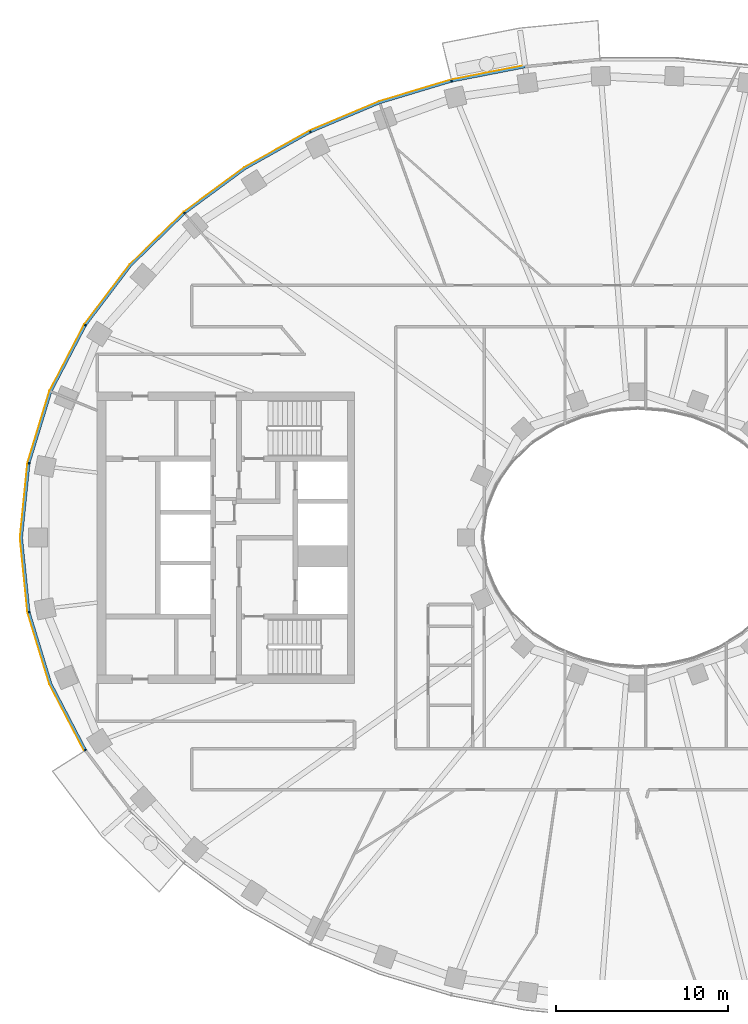
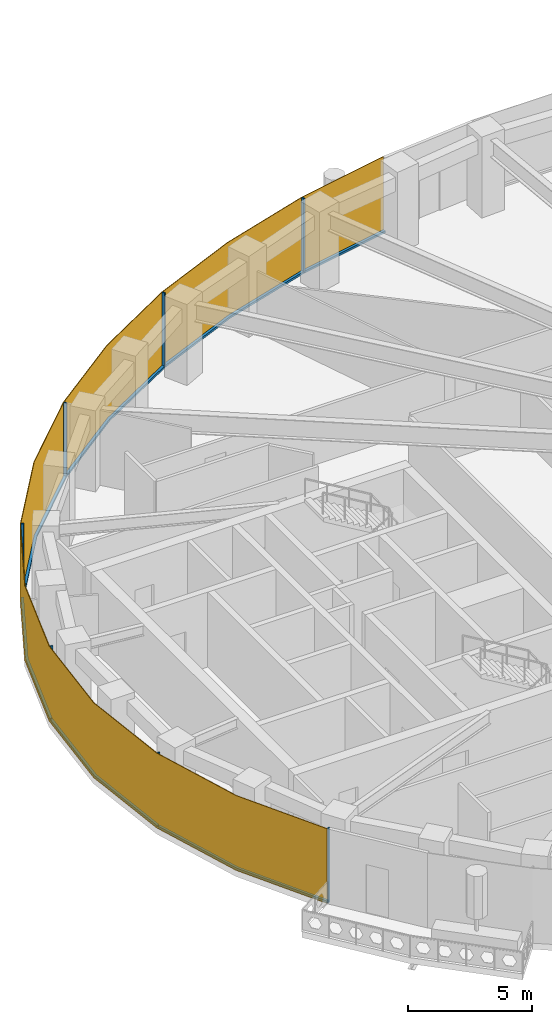
# One storey, part 11 of 16: 14 members, 1 curtain wall.
"""IFC4 building model written with IfcOpenShell, lengths in metres."""

from ifc_helpers import new_model, si_unit, direction, frame, origin, origin_2d, place, context, subcontext, project, spatial, polyline, rectangle, outline, extrude, material, layer, layer_set, material_profile, profile_set, type_object, element, aggregate, save


model = new_model("IFC4")

# Units and contexts
model_context = context("Model", 3, precision=1e-05, world=origin(), true_north=direction((0.0, 1.0)))
body_context = subcontext(model_context, "Body", "Model", "MODEL_VIEW")
ifc_project = project(units=[si_unit("LENGTHUNIT", "METRE"), si_unit("AREAUNIT", "SQUARE_METRE"), si_unit("VOLUMEUNIT", "CUBIC_METRE"), si_unit("PLANEANGLEUNIT", "RADIAN"), si_unit("MASSUNIT", "GRAM", prefix="KILO")], contexts=[model_context])

# Member
ifc_material_1 = material(Name="Aluminium 6063-T6 black anodised", Category="aluminium")
ifc_material_profile = material_profile(ifc_material_1, rectangle(XDim=0.1201171875, YDim=0.06005859375, at=origin_2d()), Name="120x60")
ifc_profile_set = profile_set([ifc_material_profile], Name="Aluminium 6063-T6 black anodised")
member_type_1 = type_object("IfcMemberType", Name="ENV-MULLION-A-120", PredefinedType="MULLION", material=ifc_profile_set)
site_placement = place(None, origin())
building_placement = place(site_placement, origin())
storey_placement = place(building_placement, frame((0.0, 0.0, 245.5)))
member_1_placement = place(storey_placement, frame((-10.84326171875, 26.60498046875, 0.0), z_axis=(0.0, 0.0, 1.0), x_axis=(0.239799081534, -0.970822538106, 0.0)))
member_1 = element("IfcMember", 1, at=member_1_placement, type_object=member_type_1, Name="Mullion A radial 15", PredefinedType="MULLION", context=body_context, shape_type="SweptSolid", body=[
    extrude(rectangle(XDim=0.1201171875, YDim=0.06005859375, at=origin_2d()), origin(), (0.0, 0.0, 1.0), 3.699951171875),
])

member_2_placement = place(storey_placement, frame((-19.06787109375, 23.6474609375, 0.0), z_axis=(0.0, 0.0, 1.0), x_axis=(0.439237769837, -0.898370848563, 0.0)))
member_2 = element("IfcMember", 2, at=member_2_placement, type_object=member_type_1, Name="Mullion A radial 17", PredefinedType="MULLION", context=body_context, shape_type="SweptSolid", body=[
    extrude(rectangle(XDim=0.1201171875, YDim=0.06005859375, at=origin_2d()), origin(), (0.0, 0.0, 1.0), 3.699951171875),
])

member_3_placement = place(storey_placement, frame((-26.403564453125, 18.9130859375, 0.0), z_axis=(0.0, 0.0, 1.0), x_axis=(0.646451313783, -0.762955240435, 0.0)))
member_3 = element("IfcMember", 3, at=member_3_placement, type_object=member_type_1, Name="Mullion A radial 19", PredefinedType="MULLION", context=body_context, shape_type="SweptSolid", body=[
    extrude(rectangle(XDim=0.1201171875, YDim=0.06005859375, at=origin_2d()), origin(), (0.0, 0.0, 1.0), 3.699951171875),
])

member_4_placement = place(storey_placement, frame((-32.177490234375, 12.385498046875, 0.0), z_axis=(0.0, 0.0, 1.0), x_axis=(0.844829880882, -0.53503501976, 0.0)))
member_4 = element("IfcMember", 4, at=member_4_placement, type_object=member_type_1, Name="Mullion A radial 21", PredefinedType="MULLION", context=body_context, shape_type="SweptSolid", body=[
    extrude(rectangle(XDim=0.1201171875, YDim=0.06005859375, at=origin_2d()), origin(), (0.0, 0.0, 1.0), 3.699951171875),
])

member_5_placement = place(storey_placement, frame((-35.470947265625, 4.340576171875, 0.0), z_axis=(0.0, 0.0, 1.0), x_axis=(0.980379083141, -0.19712141776, 0.0)))
member_5 = element("IfcMember", 5, at=member_5_placement, type_object=member_type_1, Name="Mullion A radial 23", PredefinedType="MULLION", context=body_context, shape_type="SweptSolid", body=[
    extrude(rectangle(XDim=0.1201171875, YDim=0.06005859375, at=origin_2d()), origin(), (0.0, 0.0, 1.0), 3.699951171875),
])

member_6_placement = place(storey_placement, frame((-35.470947265625, -4.340576171875, 0.0), z_axis=(0.0, 0.0, 1.0), x_axis=(0.980379083141, 0.19712141776, 0.0)))
member_6 = element("IfcMember", 6, at=member_6_placement, type_object=member_type_1, Name="Mullion A radial 25", PredefinedType="MULLION", context=body_context, shape_type="SweptSolid", body=[
    extrude(rectangle(XDim=0.1201171875, YDim=0.06005859375, at=origin_2d()), origin(), (0.0, 0.0, 1.0), 3.699951171875),
])

member_7_placement = place(storey_placement, frame((-32.177490234375, -12.385498046875, 0.0), z_axis=(0.0, 0.0, 1.0), x_axis=(0.844829880882, 0.53503501976, 0.0)))
member_7 = element("IfcMember", 7, at=member_7_placement, type_object=member_type_1, Name="Mullion A radial 27", PredefinedType="MULLION", context=body_context, shape_type="SweptSolid", body=[
    extrude(rectangle(XDim=0.1201171875, YDim=0.06005859375, at=origin_2d()), origin(), (0.0, 0.0, 1.0), 3.699951171875),
])

ifc_material_2 = material(Name="Aluminium 6063-T6 black anodised", Category="aluminium")
member_type_2 = type_object("IfcMemberType", Name="ENV-TRANSOM-A", PredefinedType="USERDEFINED", material=ifc_material_2)
member_8_placement = place(storey_placement, origin())
member_8 = element("IfcMember", 8, at=member_8_placement, type_object=member_type_2, Name="Transom A radial 14-15", ObjectType="TRANSOM", PredefinedType="USERDEFINED", context=body_context, shape_type="SweptSolid", body=[
    extrude(outline(polyline([(-6.57470703125, 27.49560546875), (-10.830078125, 26.66845703125), (-10.80126953125, 26.552001953125), (-6.5576171875, 27.376708984375), (-6.57470703125, 27.49560546875)])), origin(), (0.0, 0.0, 1.0), 0.10009765625),
])

member_9_placement = place(storey_placement, origin())
member_9 = element("IfcMember", 9, at=member_9_placement, type_object=member_type_2, Name="Transom A radial 15-17", ObjectType="TRANSOM", PredefinedType="USERDEFINED", context=body_context, shape_type="SweptSolid", body=[
    extrude(outline(polyline([(-10.884521484375, 26.655029296875), (-15.054443359375, 25.400146484375), (-19.068359375, 23.71240234375), (-19.015380859375, 23.604248046875), (-15.013916015625, 25.287109375), (-10.855712890625, 26.53857421875), (-10.884521484375, 26.655029296875)])), origin(), (0.0, 0.0, 1.0), 0.10009765625),
])

member_10_placement = place(storey_placement, origin())
member_10 = element("IfcMember", 10, at=member_10_placement, type_object=member_type_2, Name="Transom A radial 17-19", ObjectType="TRANSOM", PredefinedType="USERDEFINED", context=body_context, shape_type="SweptSolid", body=[
    extrude(outline(polyline([(-19.11865234375, 23.687744140625), (-22.9150390625, 21.556884765625), (-26.419921875, 18.975341796875), (-26.342041015625, 18.883544921875), (-22.85009765625, 21.455810546875), (-19.06591796875, 23.57958984375), (-19.11865234375, 23.687744140625)])), origin(), (0.0, 0.0, 1.0), 0.10009765625),
])

member_11_placement = place(storey_placement, origin())
member_11 = element("IfcMember", 11, at=member_11_placement, type_object=member_type_2, Name="Transom A radial 19-21", ObjectType="TRANSOM", PredefinedType="USERDEFINED", context=body_context, shape_type="SweptSolid", body=[
    extrude(outline(polyline([(-26.46240234375, 18.939208984375), (-29.58349609375, 15.906982421875), (-32.211181640625, 12.43994140625), (-32.109375, 12.37548828125), (-29.493408203125, 15.8271484375), (-26.384765625, 18.847412109375), (-26.46240234375, 18.939208984375)])), origin(), (0.0, 0.0, 1.0), 0.10009765625),
])

member_12_placement = place(storey_placement, origin())
member_12 = element("IfcMember", 12, at=member_12_placement, type_object=member_type_2, Name="Transom A radial 21-23", ObjectType="TRANSOM", PredefinedType="USERDEFINED", context=body_context, shape_type="SweptSolid", body=[
    extrude(outline(polyline([(-32.240966796875, 12.392578125), (-34.251220703125, 8.53662109375), (-35.521484375, 4.379150390625), (-35.4033203125, 4.355224609375), (-34.139892578125, 8.490966796875), (-32.139404296875, 12.328369140625), (-32.240966796875, 12.392578125)])), origin(), (0.0, 0.0, 1.0), 0.10009765625),
])

member_13_placement = place(storey_placement, origin())
member_13 = element("IfcMember", 13, at=member_13_placement, type_object=member_type_2, Name="Transom A radial 23-25", ObjectType="TRANSOM", PredefinedType="USERDEFINED", context=body_context, shape_type="SweptSolid", body=[
    extrude(outline(polyline([(-35.532470703125, 4.324462890625), (-35.9677734375, 0.0), (-35.532470703125, -4.324462890625), (-35.414306640625, -4.30078125), (-35.84716796875, 0.0), (-35.414306640625, 4.30078125), (-35.532470703125, 4.324462890625)])), origin(), (0.0, 0.0, 1.0), 0.10009765625),
])

member_14_placement = place(storey_placement, origin())
member_14 = element("IfcMember", 14, at=member_14_placement, type_object=member_type_2, Name="Transom A radial 25-27", ObjectType="TRANSOM", PredefinedType="USERDEFINED", context=body_context, shape_type="SweptSolid", body=[
    extrude(outline(polyline([(-35.521484375, -4.379150390625), (-34.251220703125, -8.53662109375), (-32.240966796875, -12.392578125), (-32.139404296875, -12.328369140625), (-34.139892578125, -8.490966796875), (-35.4033203125, -4.355224609375), (-35.521484375, -4.379150390625)])), origin(), (0.0, 0.0, 1.0), 0.10009765625),
])

# Site, building, storey
site = spatial("IfcSite", under=ifc_project, at=site_placement, CompositionType="ELEMENT")
building = spatial("IfcBuilding", under=site, at=building_placement, Name="Noorbagh Ring Tower", CompositionType="ELEMENT")
storey = spatial("IfcBuildingStorey", under=building, at=storey_placement, Name="L51", CompositionType="ELEMENT", Elevation=245.5)

# Curtain wall
ifc_material_3 = material(Name="Glass dark tinted laminated", Category="glass")
ifc_layer = layer(ifc_material_3, 0.031982421875)
ifc_layer_set = layer_set([ifc_layer], Name="Glass dark tinted laminated")
curtain_wall_type = type_object("IfcCurtainWallType", Name="ENV-CW-A", PredefinedType="NOTDEFINED", material=ifc_layer_set)
curtain_wall_placement = place(storey_placement, origin())
curtain_wall = element("IfcCurtainWall", 15, at=curtain_wall_placement, inside=storey, type_object=curtain_wall_type, Name="Curtain wall A R14", PredefinedType="NOTDEFINED", context=body_context, shape_type="SweptSolid", body=[
    extrude(outline(polyline([(-6.579345703125, 27.52734375), (-10.865234375, 26.6943359375), (-15.065185546875, 25.430419921875), (-19.108154296875, 23.730224609375), (-22.9326171875, 21.583740234375), (-26.463134765625, 18.9833984375), (-29.607666015625, 15.927978515625), (-32.255126953125, 12.434814453125), (-34.281005859375, 8.548828125), (-35.561279296875, 4.358642578125), (-36.0, 0.0), (-35.561279296875, -4.358642578125), (-34.281005859375, -8.548828125), (-32.264404296875, -12.4169921875), (-32.2373046875, -12.39990234375), (-34.251220703125, -8.53662109375), (-35.529541015625, -4.352294921875), (-35.9677734375, 0.0), (-35.529541015625, 4.352294921875), (-34.251220703125, 8.53662109375), (-32.22802734375, 12.41748046875), (-29.58349609375, 15.906982421875), (-26.4423828125, 18.958740234375), (-22.9150390625, 21.556884765625), (-19.093994140625, 23.701416015625), (-15.054443359375, 25.400146484375), (-10.857666015625, 26.6630859375), (-6.57470703125, 27.49560546875), (-6.579345703125, 27.52734375)])), origin(), (0.0, 0.0, 1.0), 3.699951171875),
])

aggregate(curtain_wall, [member_1, member_2, member_3, member_4, member_5, member_6, member_7, member_8, member_9, member_10, member_11, member_12, member_13, member_14])

save(model, "model.ifc")
